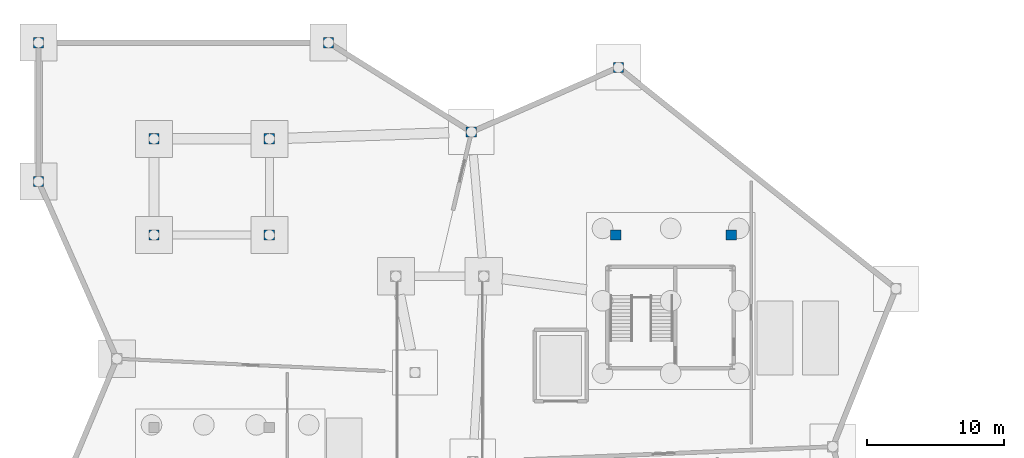
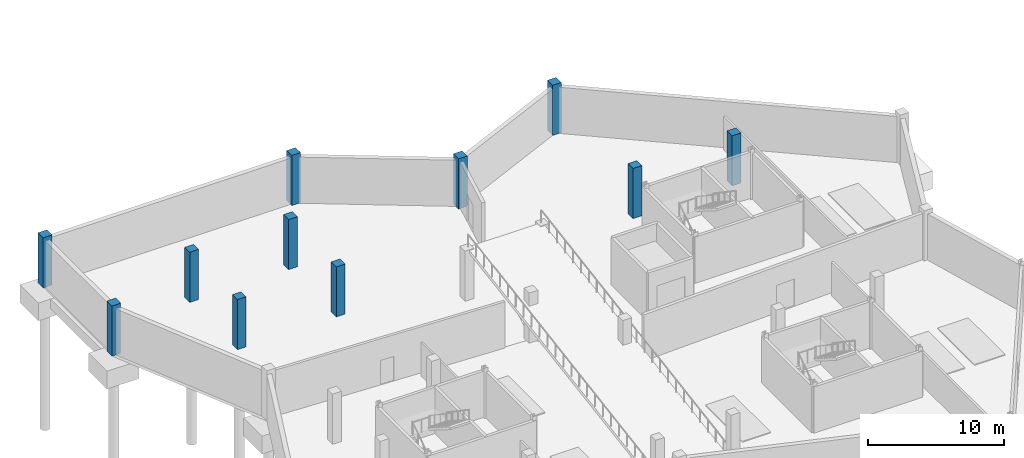
# One storey, part 17 of 37: 11 columns.
"""IFC4 building model written with IfcOpenShell, lengths in metres."""

from ifc_helpers import new_model, si_unit, direction, frame, origin, origin_2d, place, context, subcontext, project, spatial, rectangle, extrude, material, material_profile, profile_set, type_object, element, save


model = new_model("IFC4")

# Units and contexts
model_context = context("Model", 3, precision=1e-05, world=origin(), true_north=direction((0.0, 1.0)))
body_context = subcontext(model_context, "Body", "Model", "MODEL_VIEW")
ifc_project = project(units=[si_unit("LENGTHUNIT", "METRE"), si_unit("AREAUNIT", "SQUARE_METRE"), si_unit("VOLUMEUNIT", "CUBIC_METRE"), si_unit("PLANEANGLEUNIT", "RADIAN"), si_unit("MASSUNIT", "GRAM", prefix="KILO")], contexts=[model_context])

# Site, building, storey
site_placement = place(None, origin())
site = spatial("IfcSite", under=ifc_project, at=site_placement, CompositionType="ELEMENT")
building_placement = place(site_placement, origin())
building = spatial("IfcBuilding", under=site, at=building_placement, Name="Tameran Prism Museum", CompositionType="ELEMENT")
storey_placement = place(building_placement, frame((0.0, 0.0, -4.5)))
storey = spatial("IfcBuildingStorey", under=building, at=storey_placement, Name="B1", CompositionType="ELEMENT", Elevation=-4.5)

# Columns
ifc_material = material(Name="Concrete N50 (50 MPa)", Category="concrete")
ifc_material_profile = material_profile(ifc_material, rectangle(XDim=0.75, YDim=0.75, at=origin_2d()))
ifc_profile_set = profile_set([ifc_material_profile])
column_type = type_object("IfcColumnType", Name="COL-RC750", PredefinedType="COLUMN", material=ifc_profile_set)
for number, where, z_axis, x_axis, name in (
    (1, (0.0, 101.89990234375, 0.0), (0.0, 0.0, 1.0), (1.0, 0.0, 0.0), "Column CV-07 B1"),
    (2, (0.0, 112.0, 0.0), (0.0, 0.0, 1.0), (1.0, 0.0, 0.0), "Column CV-08 B1"),
    (3, (21.10009765625, 112.0, 0.0), (0.0, 0.0, 1.0), (1.0, 0.0, 0.0), "Column CV-12 B1"),
    (4, (31.5, 105.5, 0.0), (0.0, 0.0, 1.0), (1.0, 0.0, 0.0), "Column CV-19 B1"),
    (5, (42.199951171875, 110.199951171875, 0.0), (0.0, 0.0, 1.0), (1.0, 0.0, 0.0), "Column CV-22 B1"),
    (6, (42.0, 98.0, 0.0), (0.0, 0.0, 1.0), (1.0, 0.0, 0.0), "Column CI-03 B1"),
    (7, (50.39990234375, 98.0, 0.0), (0.0, 0.0, 1.0), (1.0, 0.0, 0.0), "Column CI-04 B1"),
    (8, (8.39990234375, 98.0, 0.0), (0.0, 0.0, 1.0), (1.0, 0.0, 0.0), "Column CI-09 B1"),
    (9, (8.39990234375, 105.0, 0.0), (0.0, 0.0, 1.0), (1.0, 0.0, 0.0), "Column CI-10 B1"),
    (10, (16.800048828125, 98.0, 0.0), (0.0, 0.0, 1.0), (1.0, 0.0, 0.0), "Column CI-11 B1"),
    (11, (16.800048828125, 105.0, 0.0), (0.0, 0.0, 1.0), (1.0, 0.0, 0.0), "Column CI-12 B1"),
):
    element("IfcColumn", number, at=place(storey_placement, frame(where, z_axis=z_axis, x_axis=x_axis)), inside=storey, type_object=column_type, Name=name, PredefinedType="COLUMN", context=body_context, shape_type="SweptSolid", body=[
        extrude(rectangle(XDim=0.75, YDim=0.75, at=origin_2d()), origin(), (0.0, 0.0, 1.0), 4.5),
    ])

save(model, "model.ifc")
